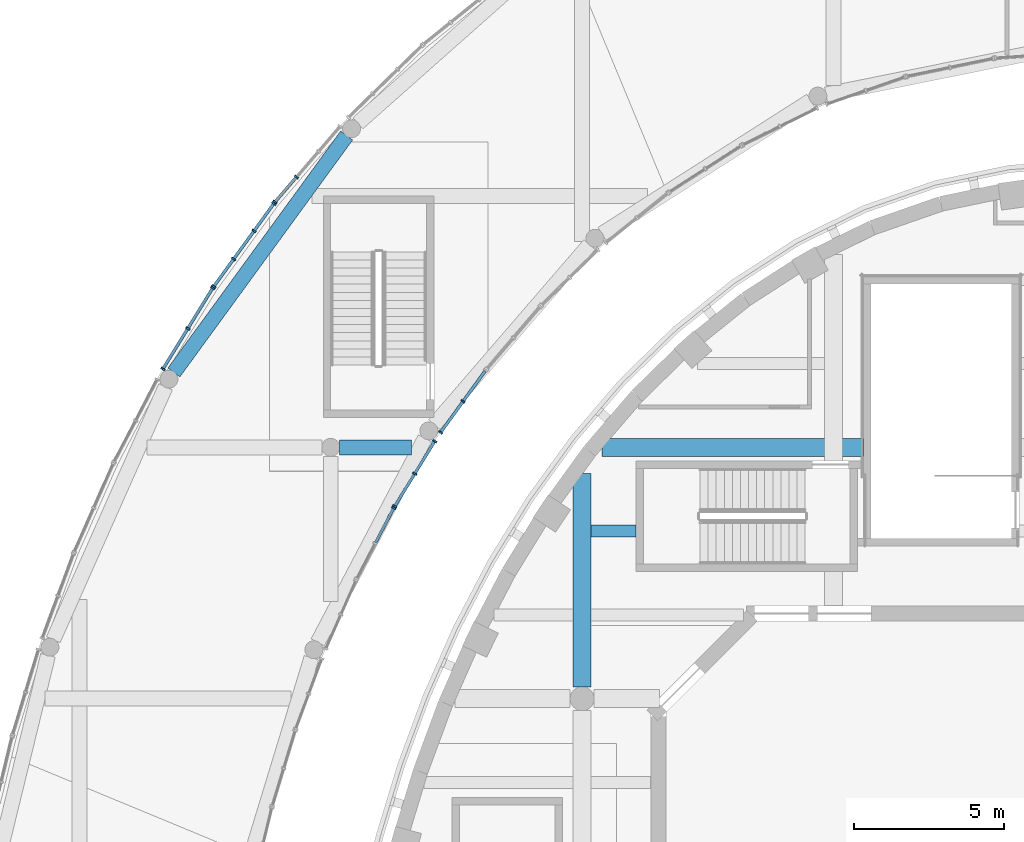
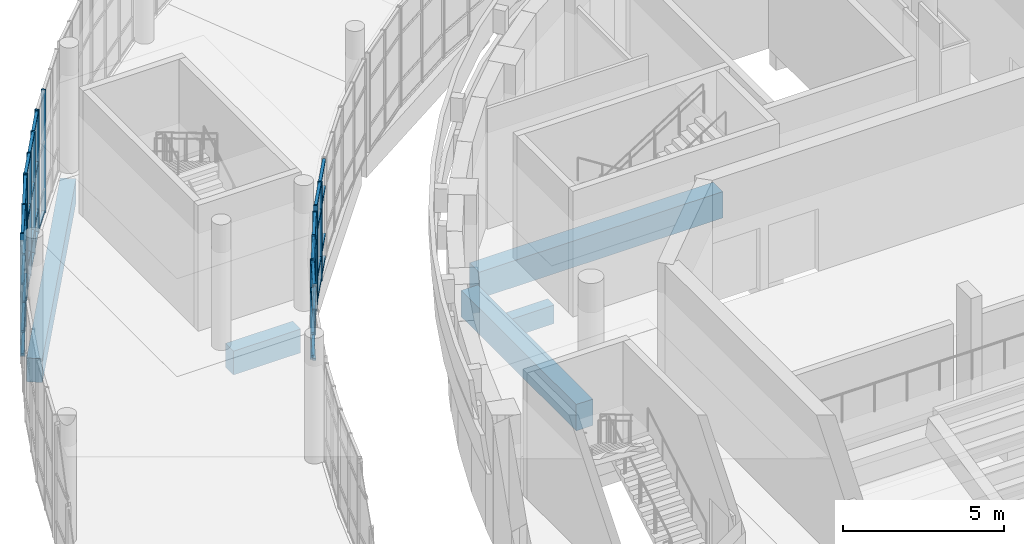
# One storey, part 24 of 119: 55 members, 5 beams, 6 elements without a shape of their own.
"""IFC4 building model written with IfcOpenShell, lengths in metres."""

from ifc_helpers import new_model, si_unit, direction, frame, origin, origin_2d, place, context, subcontext, project, spatial, rectangle, extrude, material, layer, layer_set, material_profile, profile_set, type_object, element, aggregate, save


model = new_model("IFC4")

# Units and contexts
model_context = context("Model", 3, precision=1e-05, world=origin(), true_north=direction((0.0, 1.0)))
body_context = subcontext(model_context, "Body", "Model", "MODEL_VIEW")
ifc_project = project(units=[si_unit("LENGTHUNIT", "METRE"), si_unit("AREAUNIT", "SQUARE_METRE"), si_unit("VOLUMEUNIT", "CUBIC_METRE"), si_unit("PLANEANGLEUNIT", "RADIAN"), si_unit("MASSUNIT", "GRAM", prefix="KILO")], contexts=[model_context])

# Site, building, storey
site_placement = place(None, origin())
site = spatial("IfcSite", under=ifc_project, at=site_placement, CompositionType="ELEMENT")
building_placement = place(site_placement, origin())
building = spatial("IfcBuilding", under=site, at=building_placement, Name="Larchfold Concert Hall", CompositionType="ELEMENT")
storey_placement = place(building_placement, frame((0.0, 0.0, 4.800048828125)))
storey = spatial("IfcBuildingStorey", under=building, at=storey_placement, Name="L01", CompositionType="ELEMENT", Elevation=4.800048828125)

# Curtain wall, member
ifc_material_1 = material(Name="Anodised graphite aluminium curtain wall", Category="aluminium")
ifc_layer = layer(ifc_material_1, 0.14990234375)
ifc_layer_set = layer_set([ifc_layer], Name="Anodised graphite aluminium curtain wall")
curtain_wall_type = type_object("IfcCurtainWallType", Name="Curtain wall WG", PredefinedType="NOTDEFINED", material=ifc_layer_set)
curtain_wall_1_placement = place(storey_placement, origin())
curtain_wall_1 = element("IfcCurtainWall", 1, at=curtain_wall_1_placement, inside=storey, type_object=curtain_wall_type, Name="Curtain wall CW0155", PredefinedType="NOTDEFINED")
ifc_material_2 = material(Name="Anodised graphite aluminium mullion", Category="aluminium")
ifc_material_profile_1 = material_profile(ifc_material_2, rectangle(XDim=0.14990234375, YDim=0.06005859375, at=origin_2d()))
ifc_profile_set_1 = profile_set([ifc_material_profile_1], Name="Anodised graphite aluminium mullion")
member_type_1 = type_object("IfcMemberType", Name="Aluminium mullion 60x150", PredefinedType="MULLION", material=ifc_profile_set_1)
member_1_placement = place(storey_placement, frame((19.504638671875, 107.774169921875, 0.0), z_axis=(0.0, 0.0, 1.0), x_axis=(-0.886259622766, 0.46318881793, 0.0)))
member_1 = element("IfcMember", 2, at=member_1_placement, type_object=member_type_1, Name="CW0155 mullion 3", PredefinedType="MULLION", context=body_context, shape_type="SweptSolid", body=[
    extrude(rectangle(XDim=0.14990234375, YDim=0.06005859375, at=origin_2d()), origin(), (0.0, 0.0, 1.0), 3.75),
])

# Curtain wall, members
curtain_wall_2_placement = place(storey_placement, origin())
curtain_wall_2 = element("IfcCurtainWall", 3, at=curtain_wall_2_placement, inside=storey, type_object=curtain_wall_type, Name="Curtain wall CW0156", PredefinedType="NOTDEFINED")
member_2_placement = place(storey_placement, frame((19.5341796875, 107.826416015625, 0.0), z_axis=(0.0, 0.0, 1.0), x_axis=(-0.851655115363, 0.524102627808, 0.0)))
member_2 = element("IfcMember", 4, at=member_2_placement, type_object=member_type_1, Name="CW0156 mullion 1", PredefinedType="MULLION", context=body_context, shape_type="SweptSolid", body=[
    extrude(rectangle(XDim=0.14990234375, YDim=0.06005859375, at=origin_2d()), origin(), (0.0, 0.0, 1.0), 3.75),
])
member_3_placement = place(storey_placement, frame((20.20458984375, 108.915771484375, 0.0), z_axis=(0.0, 0.0, 1.0), x_axis=(-0.851655115363, 0.524102627808, 0.0)))
member_3 = element("IfcMember", 5, at=member_3_placement, type_object=member_type_1, Name="CW0156 mullion 2", PredefinedType="MULLION", context=body_context, shape_type="SweptSolid", body=[
    extrude(rectangle(XDim=0.14990234375, YDim=0.06005859375, at=origin_2d()), origin(), (0.0, 0.0, 1.0), 3.75),
])
member_4_placement = place(storey_placement, frame((20.875244140625, 110.005126953125, 0.0), z_axis=(0.0, 0.0, 1.0), x_axis=(-0.851655115363, 0.524102627808, 0.0)))
member_4 = element("IfcMember", 6, at=member_4_placement, type_object=member_type_1, Name="CW0156 mullion 3", PredefinedType="MULLION", context=body_context, shape_type="SweptSolid", body=[
    extrude(rectangle(XDim=0.14990234375, YDim=0.06005859375, at=origin_2d()), origin(), (0.0, 0.0, 1.0), 3.75),
])

curtain_wall_3_placement = place(storey_placement, origin())
curtain_wall_3 = element("IfcCurtainWall", 7, at=curtain_wall_3_placement, inside=storey, type_object=curtain_wall_type, Name="Curtain wall CW0157", PredefinedType="NOTDEFINED")
member_5_placement = place(storey_placement, frame((21.072509765625, 110.298828125, 0.0), z_axis=(0.0, 0.0, 1.0), x_axis=(-0.809887159261, 0.58658570496, 0.0)))
member_5 = element("IfcMember", 8, at=member_5_placement, type_object=member_type_1, Name="CW0157 mullion 1", PredefinedType="MULLION", context=body_context, shape_type="SweptSolid", body=[
    extrude(rectangle(XDim=0.14990234375, YDim=0.06005859375, at=origin_2d()), origin(), (0.0, 0.0, 1.0), 3.75),
])
member_6_placement = place(storey_placement, frame((21.8232421875, 111.335205078125, 0.0), z_axis=(0.0, 0.0, 1.0), x_axis=(-0.809887159261, 0.58658570496, 0.0)))
member_6 = element("IfcMember", 9, at=member_6_placement, type_object=member_type_1, Name="CW0157 mullion 2", PredefinedType="MULLION", context=body_context, shape_type="SweptSolid", body=[
    extrude(rectangle(XDim=0.14990234375, YDim=0.06005859375, at=origin_2d()), origin(), (0.0, 0.0, 1.0), 3.75),
])

curtain_wall_4_placement = place(storey_placement, origin())
curtain_wall_4 = element("IfcCurtainWall", 10, at=curtain_wall_4_placement, inside=storey, type_object=curtain_wall_type, Name="Curtain wall CW0184", PredefinedType="NOTDEFINED")
member_7_placement = place(storey_placement, frame((16.253662109375, 118.831298828125, 0.0), z_axis=(0.0, 0.0, 1.0), x_axis=(0.759444508199, -0.650572085911, 0.0)))
member_7 = element("IfcMember", 11, at=member_7_placement, type_object=member_type_1, Name="CW0184 mullion 3", PredefinedType="MULLION", context=body_context, shape_type="SweptSolid", body=[
    extrude(rectangle(XDim=0.14990234375, YDim=0.06005859375, at=origin_2d()), origin(), (0.0, 0.0, 1.0), 4.64990234375),
])
member_8_placement = place(storey_placement, frame((15.537353515625, 117.9951171875, 0.0), z_axis=(0.0, 0.0, 1.0), x_axis=(0.759444508199, -0.650572085911, 0.0)))
member_8 = element("IfcMember", 12, at=member_8_placement, type_object=member_type_1, Name="CW0184 mullion 4", PredefinedType="MULLION", context=body_context, shape_type="SweptSolid", body=[
    extrude(rectangle(XDim=0.14990234375, YDim=0.06005859375, at=origin_2d()), origin(), (0.0, 0.0, 1.0), 4.64990234375),
])

curtain_wall_5_placement = place(storey_placement, origin())
curtain_wall_5 = element("IfcCurtainWall", 13, at=curtain_wall_5_placement, inside=storey, type_object=curtain_wall_type, Name="Curtain wall CW0185", PredefinedType="NOTDEFINED")
member_9_placement = place(storey_placement, frame((15.500244140625, 117.947998046875, 0.0), z_axis=(0.0, 0.0, 1.0), x_axis=(0.809846830142, -0.586641382541, 0.0)))
member_9 = element("IfcMember", 14, at=member_9_placement, type_object=member_type_1, Name="CW0185 mullion 1", PredefinedType="MULLION", context=body_context, shape_type="SweptSolid", body=[
    extrude(rectangle(XDim=0.14990234375, YDim=0.06005859375, at=origin_2d()), origin(), (0.0, 0.0, 1.0), 4.64990234375),
])
member_10_placement = place(storey_placement, frame((14.836669921875, 117.031982421875, 0.0), z_axis=(0.0, 0.0, 1.0), x_axis=(0.809846830142, -0.586641382541, 0.0)))
member_10 = element("IfcMember", 15, at=member_10_placement, type_object=member_type_1, Name="CW0185 mullion 2", PredefinedType="MULLION", context=body_context, shape_type="SweptSolid", body=[
    extrude(rectangle(XDim=0.14990234375, YDim=0.06005859375, at=origin_2d()), origin(), (0.0, 0.0, 1.0), 4.64990234375),
])
member_11_placement = place(storey_placement, frame((14.1552734375, 116.091552734375, 0.0), z_axis=(0.0, 0.0, 1.0), x_axis=(0.809846830142, -0.586641382541, 0.0)))
member_11 = element("IfcMember", 16, at=member_11_placement, type_object=member_type_1, Name="CW0185 mullion 3", PredefinedType="MULLION", context=body_context, shape_type="SweptSolid", body=[
    extrude(rectangle(XDim=0.14990234375, YDim=0.06005859375, at=origin_2d()), origin(), (0.0, 0.0, 1.0), 4.64990234375),
])
member_12_placement = place(storey_placement, frame((13.49169921875, 115.175537109375, 0.0), z_axis=(0.0, 0.0, 1.0), x_axis=(0.809846830142, -0.586641382541, 0.0)))
member_12 = element("IfcMember", 17, at=member_12_placement, type_object=member_type_1, Name="CW0185 mullion 4", PredefinedType="MULLION", context=body_context, shape_type="SweptSolid", body=[
    extrude(rectangle(XDim=0.14990234375, YDim=0.06005859375, at=origin_2d()), origin(), (0.0, 0.0, 1.0), 4.64990234375),
])

curtain_wall_6_placement = place(storey_placement, origin())
curtain_wall_6 = element("IfcCurtainWall", 18, at=curtain_wall_6_placement, inside=storey, type_object=curtain_wall_type, Name="Curtain wall CW0186", PredefinedType="NOTDEFINED")
member_13_placement = place(storey_placement, frame((13.45849609375, 115.12548828125, 0.0), z_axis=(0.0, 0.0, 1.0), x_axis=(0.851668675828, -0.524080591715, 0.0)))
member_13 = element("IfcMember", 19, at=member_13_placement, type_object=member_type_1, Name="CW0186 mullion 1", PredefinedType="MULLION", context=body_context, shape_type="SweptSolid", body=[
    extrude(rectangle(XDim=0.14990234375, YDim=0.06005859375, at=origin_2d()), origin(), (0.0, 0.0, 1.0), 4.64990234375),
])
member_14_placement = place(storey_placement, frame((12.6259765625, 113.772705078125, 0.0), z_axis=(0.0, 0.0, 1.0), x_axis=(0.851668675828, -0.524080591715, 0.0)))
member_14 = element("IfcMember", 20, at=member_14_placement, type_object=member_type_1, Name="CW0186 mullion 2", PredefinedType="MULLION", context=body_context, shape_type="SweptSolid", body=[
    extrude(rectangle(XDim=0.14990234375, YDim=0.06005859375, at=origin_2d()), origin(), (0.0, 0.0, 1.0), 4.64990234375),
])
member_15_placement = place(storey_placement, frame((11.79345703125, 112.420166015625, 0.0), z_axis=(0.0, 0.0, 1.0), x_axis=(0.851668675828, -0.524080591715, 0.0)))
member_15 = element("IfcMember", 21, at=member_15_placement, type_object=member_type_1, Name="CW0186 mullion 3", PredefinedType="MULLION", context=body_context, shape_type="SweptSolid", body=[
    extrude(rectangle(XDim=0.14990234375, YDim=0.06005859375, at=origin_2d()), origin(), (0.0, 0.0, 1.0), 4.64990234375),
])

# Member
ifc_material_3 = material(Name="Anodised graphite aluminium transom", Category="aluminium")
ifc_material_profile_2 = material_profile(ifc_material_3, rectangle(XDim=0.10009765625, YDim=0.080078125, at=origin_2d()))
ifc_profile_set_2 = profile_set([ifc_material_profile_2], Name="Anodised graphite aluminium transom")
member_type_2 = type_object("IfcMemberType", Name="Aluminium transom 80x100", PredefinedType="USERDEFINED", material=ifc_profile_set_2)
member_16_placement = place(storey_placement, frame((18.899658203125, 106.616455078125, 0.89990234375), z_axis=(0.463134691808, 0.886287908777, 0.0), x_axis=(-0.886287908777, 0.463134691808, 0.0)))
member_16 = element("IfcMember", 22, at=member_16_placement, type_object=member_type_2, Name="CW0155 transom 2.2", ObjectType="TRANSOM", PredefinedType="USERDEFINED", context=body_context, shape_type="SweptSolid", body=[
    extrude(rectangle(XDim=0.10009765625, YDim=0.080078125, at=origin_2d()), origin(), (0.0, 0.0, 1.0), 1.276123046875),
])

member_17_placement = place(storey_placement, frame((18.899658203125, 106.616455078125, 2.699951171875), z_axis=(0.463134691808, 0.886287908777, 0.0), x_axis=(-0.886287908777, 0.463134691808, 0.0)))
member_17 = element("IfcMember", 23, at=member_17_placement, type_object=member_type_2, Name="CW0155 transom 2.3", ObjectType="TRANSOM", PredefinedType="USERDEFINED", context=body_context, shape_type="SweptSolid", body=[
    extrude(rectangle(XDim=0.10009765625, YDim=0.080078125, at=origin_2d()), origin(), (0.0, 0.0, 1.0), 1.276123046875),
])

member_18_placement = place(storey_placement, frame((18.899658203125, 106.616455078125, 3.7099609375), z_axis=(0.463134691808, 0.886287908777, 0.0), x_axis=(-0.886287908777, 0.463134691808, 0.0)))
member_18 = element("IfcMember", 24, at=member_18_placement, type_object=member_type_2, Name="CW0155 transom 2.4", ObjectType="TRANSOM", PredefinedType="USERDEFINED", context=body_context, shape_type="SweptSolid", body=[
    extrude(rectangle(XDim=0.10009765625, YDim=0.080078125, at=origin_2d()), origin(), (0.0, 0.0, 1.0), 1.276123046875),
])

aggregate(curtain_wall_1, [member_1, member_16, member_17, member_18])

member_19_placement = place(storey_placement, frame((19.550048828125, 107.851806640625, 0.0400390625), z_axis=(0.5240639064, 0.851678943034, 0.0), x_axis=(-0.851678943034, 0.5240639064, 0.0)))
member_19 = element("IfcMember", 25, at=member_19_placement, type_object=member_type_2, Name="CW0156 transom 1.1", ObjectType="TRANSOM", PredefinedType="USERDEFINED", context=body_context, shape_type="SweptSolid", body=[
    extrude(rectangle(XDim=0.10009765625, YDim=0.080078125, at=origin_2d()), origin(), (0.0, 0.0, 1.0), 1.21923828125),
])

member_20_placement = place(storey_placement, frame((19.550048828125, 107.851806640625, 0.89990234375), z_axis=(0.5240639064, 0.851678943034, 0.0), x_axis=(-0.851678943034, 0.5240639064, 0.0)))
member_20 = element("IfcMember", 26, at=member_20_placement, type_object=member_type_2, Name="CW0156 transom 1.2", ObjectType="TRANSOM", PredefinedType="USERDEFINED", context=body_context, shape_type="SweptSolid", body=[
    extrude(rectangle(XDim=0.10009765625, YDim=0.080078125, at=origin_2d()), origin(), (0.0, 0.0, 1.0), 1.21923828125),
])

member_21_placement = place(storey_placement, frame((19.550048828125, 107.851806640625, 2.699951171875), z_axis=(0.5240639064, 0.851678943034, 0.0), x_axis=(-0.851678943034, 0.5240639064, 0.0)))
member_21 = element("IfcMember", 27, at=member_21_placement, type_object=member_type_2, Name="CW0156 transom 1.3", ObjectType="TRANSOM", PredefinedType="USERDEFINED", context=body_context, shape_type="SweptSolid", body=[
    extrude(rectangle(XDim=0.10009765625, YDim=0.080078125, at=origin_2d()), origin(), (0.0, 0.0, 1.0), 1.21923828125),
])

member_22_placement = place(storey_placement, frame((19.550048828125, 107.851806640625, 3.7099609375), z_axis=(0.5240639064, 0.851678943034, 0.0), x_axis=(-0.851678943034, 0.5240639064, 0.0)))
member_22 = element("IfcMember", 28, at=member_22_placement, type_object=member_type_2, Name="CW0156 transom 1.4", ObjectType="TRANSOM", PredefinedType="USERDEFINED", context=body_context, shape_type="SweptSolid", body=[
    extrude(rectangle(XDim=0.10009765625, YDim=0.080078125, at=origin_2d()), origin(), (0.0, 0.0, 1.0), 1.21923828125),
])

member_23_placement = place(storey_placement, frame((20.220458984375, 108.94140625, 0.0400390625), z_axis=(0.5240639064, 0.851678943034, 0.0), x_axis=(-0.851678943034, 0.5240639064, 0.0)))
member_23 = element("IfcMember", 29, at=member_23_placement, type_object=member_type_2, Name="CW0156 transom 2.1", ObjectType="TRANSOM", PredefinedType="USERDEFINED", context=body_context, shape_type="SweptSolid", body=[
    extrude(rectangle(XDim=0.10009765625, YDim=0.080078125, at=origin_2d()), origin(), (0.0, 0.0, 1.0), 1.21923828125),
])

member_24_placement = place(storey_placement, frame((20.220458984375, 108.94140625, 0.89990234375), z_axis=(0.5240639064, 0.851678943034, 0.0), x_axis=(-0.851678943034, 0.5240639064, 0.0)))
member_24 = element("IfcMember", 30, at=member_24_placement, type_object=member_type_2, Name="CW0156 transom 2.2", ObjectType="TRANSOM", PredefinedType="USERDEFINED", context=body_context, shape_type="SweptSolid", body=[
    extrude(rectangle(XDim=0.10009765625, YDim=0.080078125, at=origin_2d()), origin(), (0.0, 0.0, 1.0), 1.21923828125),
])

member_25_placement = place(storey_placement, frame((20.220458984375, 108.94140625, 2.699951171875), z_axis=(0.5240639064, 0.851678943034, 0.0), x_axis=(-0.851678943034, 0.5240639064, 0.0)))
member_25 = element("IfcMember", 31, at=member_25_placement, type_object=member_type_2, Name="CW0156 transom 2.3", ObjectType="TRANSOM", PredefinedType="USERDEFINED", context=body_context, shape_type="SweptSolid", body=[
    extrude(rectangle(XDim=0.10009765625, YDim=0.080078125, at=origin_2d()), origin(), (0.0, 0.0, 1.0), 1.21923828125),
])

member_26_placement = place(storey_placement, frame((20.220458984375, 108.94140625, 3.7099609375), z_axis=(0.5240639064, 0.851678943034, 0.0), x_axis=(-0.851678943034, 0.5240639064, 0.0)))
member_26 = element("IfcMember", 32, at=member_26_placement, type_object=member_type_2, Name="CW0156 transom 2.4", ObjectType="TRANSOM", PredefinedType="USERDEFINED", context=body_context, shape_type="SweptSolid", body=[
    extrude(rectangle(XDim=0.10009765625, YDim=0.080078125, at=origin_2d()), origin(), (0.0, 0.0, 1.0), 1.21923828125),
])

aggregate(curtain_wall_2, [member_2, member_3, member_4, member_19, member_20, member_21, member_22, member_23, member_24, member_25, member_26])

member_27_placement = place(storey_placement, frame((21.090087890625, 110.322998046875, 0.0400390625), z_axis=(0.586659217101, 0.809833910744, 0.0), x_axis=(-0.809833910744, 0.586659217101, 0.0)))
member_27 = element("IfcMember", 33, at=member_27_placement, type_object=member_type_2, Name="CW0157 transom 1.1", ObjectType="TRANSOM", PredefinedType="USERDEFINED", context=body_context, shape_type="SweptSolid", body=[
    extrude(rectangle(XDim=0.10009765625, YDim=0.080078125, at=origin_2d()), origin(), (0.0, 0.0, 1.0), 1.2197265625),
])

member_28_placement = place(storey_placement, frame((21.090087890625, 110.322998046875, 0.89990234375), z_axis=(0.586659217101, 0.809833910744, 0.0), x_axis=(-0.809833910744, 0.586659217101, 0.0)))
member_28 = element("IfcMember", 34, at=member_28_placement, type_object=member_type_2, Name="CW0157 transom 1.2", ObjectType="TRANSOM", PredefinedType="USERDEFINED", context=body_context, shape_type="SweptSolid", body=[
    extrude(rectangle(XDim=0.10009765625, YDim=0.080078125, at=origin_2d()), origin(), (0.0, 0.0, 1.0), 1.2197265625),
])

member_29_placement = place(storey_placement, frame((21.090087890625, 110.322998046875, 2.699951171875), z_axis=(0.586659217101, 0.809833910744, 0.0), x_axis=(-0.809833910744, 0.586659217101, 0.0)))
member_29 = element("IfcMember", 35, at=member_29_placement, type_object=member_type_2, Name="CW0157 transom 1.3", ObjectType="TRANSOM", PredefinedType="USERDEFINED", context=body_context, shape_type="SweptSolid", body=[
    extrude(rectangle(XDim=0.10009765625, YDim=0.080078125, at=origin_2d()), origin(), (0.0, 0.0, 1.0), 1.2197265625),
])

member_30_placement = place(storey_placement, frame((21.090087890625, 110.322998046875, 3.7099609375), z_axis=(0.586659217101, 0.809833910744, 0.0), x_axis=(-0.809833910744, 0.586659217101, 0.0)))
member_30 = element("IfcMember", 36, at=member_30_placement, type_object=member_type_2, Name="CW0157 transom 1.4", ObjectType="TRANSOM", PredefinedType="USERDEFINED", context=body_context, shape_type="SweptSolid", body=[
    extrude(rectangle(XDim=0.10009765625, YDim=0.080078125, at=origin_2d()), origin(), (0.0, 0.0, 1.0), 1.2197265625),
])

member_31_placement = place(storey_placement, frame((21.8408203125, 111.359619140625, 0.0400390625), z_axis=(0.586659217101, 0.809833910744, 0.0), x_axis=(-0.809833910744, 0.586659217101, 0.0)))
member_31 = element("IfcMember", 37, at=member_31_placement, type_object=member_type_2, Name="CW0157 transom 2.1", ObjectType="TRANSOM", PredefinedType="USERDEFINED", context=body_context, shape_type="SweptSolid", body=[
    extrude(rectangle(XDim=0.10009765625, YDim=0.080078125, at=origin_2d()), origin(), (0.0, 0.0, 1.0), 1.2197265625),
])

member_32_placement = place(storey_placement, frame((21.8408203125, 111.359619140625, 0.89990234375), z_axis=(0.586659217101, 0.809833910744, 0.0), x_axis=(-0.809833910744, 0.586659217101, 0.0)))
member_32 = element("IfcMember", 38, at=member_32_placement, type_object=member_type_2, Name="CW0157 transom 2.2", ObjectType="TRANSOM", PredefinedType="USERDEFINED", context=body_context, shape_type="SweptSolid", body=[
    extrude(rectangle(XDim=0.10009765625, YDim=0.080078125, at=origin_2d()), origin(), (0.0, 0.0, 1.0), 1.2197265625),
])

member_33_placement = place(storey_placement, frame((21.8408203125, 111.359619140625, 2.699951171875), z_axis=(0.586659217101, 0.809833910744, 0.0), x_axis=(-0.809833910744, 0.586659217101, 0.0)))
member_33 = element("IfcMember", 39, at=member_33_placement, type_object=member_type_2, Name="CW0157 transom 2.3", ObjectType="TRANSOM", PredefinedType="USERDEFINED", context=body_context, shape_type="SweptSolid", body=[
    extrude(rectangle(XDim=0.10009765625, YDim=0.080078125, at=origin_2d()), origin(), (0.0, 0.0, 1.0), 1.2197265625),
])

member_34_placement = place(storey_placement, frame((21.8408203125, 111.359619140625, 3.7099609375), z_axis=(0.586659217101, 0.809833910744, 0.0), x_axis=(-0.809833910744, 0.586659217101, 0.0)))
member_34 = element("IfcMember", 40, at=member_34_placement, type_object=member_type_2, Name="CW0157 transom 2.4", ObjectType="TRANSOM", PredefinedType="USERDEFINED", context=body_context, shape_type="SweptSolid", body=[
    extrude(rectangle(XDim=0.10009765625, YDim=0.080078125, at=origin_2d()), origin(), (0.0, 0.0, 1.0), 1.2197265625),
])

aggregate(curtain_wall_3, [member_5, member_6, member_27, member_28, member_29, member_30, member_31, member_32, member_33, member_34])

member_35_placement = place(storey_placement, frame((16.234130859375, 118.80859375, 0.0400390625), z_axis=(-0.650598206487, -0.759422131437, 0.0), x_axis=(0.759422131437, -0.650598206487, 0.0)))
member_35 = element("IfcMember", 41, at=member_35_placement, type_object=member_type_2, Name="CW0184 transom 3.1", ObjectType="TRANSOM", PredefinedType="USERDEFINED", context=body_context, shape_type="SweptSolid", body=[
    extrude(rectangle(XDim=0.10009765625, YDim=0.080078125, at=origin_2d()), origin(), (0.0, 0.0, 1.0), 1.041015625),
])

aggregate(curtain_wall_4, [member_7, member_8, member_35])

member_36_placement = place(storey_placement, frame((15.482666015625, 117.923828125, 0.0400390625), z_axis=(-0.5866799432, -0.809818895956, 0.0), x_axis=(0.809818895956, -0.5866799432, 0.0)))
member_36 = element("IfcMember", 42, at=member_36_placement, type_object=member_type_2, Name="CW0185 transom 1.1", ObjectType="TRANSOM", PredefinedType="USERDEFINED", context=body_context, shape_type="SweptSolid", body=[
    extrude(rectangle(XDim=0.10009765625, YDim=0.080078125, at=origin_2d()), origin(), (0.0, 0.0, 1.0), 1.071044921875),
])

member_37_placement = place(storey_placement, frame((15.482666015625, 117.923828125, 0.89990234375), z_axis=(-0.5866799432, -0.809818895956, 0.0), x_axis=(0.809818895956, -0.5866799432, 0.0)))
member_37 = element("IfcMember", 43, at=member_37_placement, type_object=member_type_2, Name="CW0185 transom 1.2", ObjectType="TRANSOM", PredefinedType="USERDEFINED", context=body_context, shape_type="SweptSolid", body=[
    extrude(rectangle(XDim=0.10009765625, YDim=0.080078125, at=origin_2d()), origin(), (0.0, 0.0, 1.0), 1.071044921875),
])

member_38_placement = place(storey_placement, frame((15.482666015625, 117.923828125, 2.699951171875), z_axis=(-0.5866799432, -0.809818895956, 0.0), x_axis=(0.809818895956, -0.5866799432, 0.0)))
member_38 = element("IfcMember", 44, at=member_38_placement, type_object=member_type_2, Name="CW0185 transom 1.3", ObjectType="TRANSOM", PredefinedType="USERDEFINED", context=body_context, shape_type="SweptSolid", body=[
    extrude(rectangle(XDim=0.10009765625, YDim=0.080078125, at=origin_2d()), origin(), (0.0, 0.0, 1.0), 1.071044921875),
])

member_39_placement = place(storey_placement, frame((15.482666015625, 117.923828125, 4.60986328125), z_axis=(-0.5866799432, -0.809818895956, 0.0), x_axis=(0.809818895956, -0.5866799432, 0.0)))
member_39 = element("IfcMember", 45, at=member_39_placement, type_object=member_type_2, Name="CW0185 transom 1.4", ObjectType="TRANSOM", PredefinedType="USERDEFINED", context=body_context, shape_type="SweptSolid", body=[
    extrude(rectangle(XDim=0.10009765625, YDim=0.080078125, at=origin_2d()), origin(), (0.0, 0.0, 1.0), 1.071044921875),
])

member_40_placement = place(storey_placement, frame((14.819091796875, 117.007568359375, 0.0400390625), z_axis=(-0.586865840086, -0.809684188891, 0.0), x_axis=(0.809684188891, -0.586865840086, 0.0)))
member_40 = element("IfcMember", 46, at=member_40_placement, type_object=member_type_2, Name="CW0185 transom 2.1", ObjectType="TRANSOM", PredefinedType="USERDEFINED", context=body_context, shape_type="SweptSolid", body=[
    extrude(rectangle(XDim=0.10009765625, YDim=0.080078125, at=origin_2d()), origin(), (0.0, 0.0, 1.0), 1.10107421875),
])

member_41_placement = place(storey_placement, frame((14.819091796875, 117.007568359375, 0.89990234375), z_axis=(-0.586865840086, -0.809684188891, 0.0), x_axis=(0.809684188891, -0.586865840086, 0.0)))
member_41 = element("IfcMember", 47, at=member_41_placement, type_object=member_type_2, Name="CW0185 transom 2.2", ObjectType="TRANSOM", PredefinedType="USERDEFINED", context=body_context, shape_type="SweptSolid", body=[
    extrude(rectangle(XDim=0.10009765625, YDim=0.080078125, at=origin_2d()), origin(), (0.0, 0.0, 1.0), 1.10107421875),
])

member_42_placement = place(storey_placement, frame((14.819091796875, 117.007568359375, 2.699951171875), z_axis=(-0.586865840086, -0.809684188891, 0.0), x_axis=(0.809684188891, -0.586865840086, 0.0)))
member_42 = element("IfcMember", 48, at=member_42_placement, type_object=member_type_2, Name="CW0185 transom 2.3", ObjectType="TRANSOM", PredefinedType="USERDEFINED", context=body_context, shape_type="SweptSolid", body=[
    extrude(rectangle(XDim=0.10009765625, YDim=0.080078125, at=origin_2d()), origin(), (0.0, 0.0, 1.0), 1.10107421875),
])

member_43_placement = place(storey_placement, frame((14.819091796875, 117.007568359375, 4.60986328125), z_axis=(-0.586865840086, -0.809684188891, 0.0), x_axis=(0.809684188891, -0.586865840086, 0.0)))
member_43 = element("IfcMember", 49, at=member_43_placement, type_object=member_type_2, Name="CW0185 transom 2.4", ObjectType="TRANSOM", PredefinedType="USERDEFINED", context=body_context, shape_type="SweptSolid", body=[
    extrude(rectangle(XDim=0.10009765625, YDim=0.080078125, at=origin_2d()), origin(), (0.0, 0.0, 1.0), 1.10107421875),
])

member_44_placement = place(storey_placement, frame((14.1376953125, 116.067138671875, 0.0400390625), z_axis=(-0.5866799432, -0.809818895956, 0.0), x_axis=(0.809818895956, -0.5866799432, 0.0)))
member_44 = element("IfcMember", 50, at=member_44_placement, type_object=member_type_2, Name="CW0185 transom 3.1", ObjectType="TRANSOM", PredefinedType="USERDEFINED", context=body_context, shape_type="SweptSolid", body=[
    extrude(rectangle(XDim=0.10009765625, YDim=0.080078125, at=origin_2d()), origin(), (0.0, 0.0, 1.0), 1.071044921875),
])

member_45_placement = place(storey_placement, frame((14.1376953125, 116.067138671875, 0.89990234375), z_axis=(-0.5866799432, -0.809818895956, 0.0), x_axis=(0.809818895956, -0.5866799432, 0.0)))
member_45 = element("IfcMember", 51, at=member_45_placement, type_object=member_type_2, Name="CW0185 transom 3.2", ObjectType="TRANSOM", PredefinedType="USERDEFINED", context=body_context, shape_type="SweptSolid", body=[
    extrude(rectangle(XDim=0.10009765625, YDim=0.080078125, at=origin_2d()), origin(), (0.0, 0.0, 1.0), 1.071044921875),
])

member_46_placement = place(storey_placement, frame((14.1376953125, 116.067138671875, 2.699951171875), z_axis=(-0.5866799432, -0.809818895956, 0.0), x_axis=(0.809818895956, -0.5866799432, 0.0)))
member_46 = element("IfcMember", 52, at=member_46_placement, type_object=member_type_2, Name="CW0185 transom 3.3", ObjectType="TRANSOM", PredefinedType="USERDEFINED", context=body_context, shape_type="SweptSolid", body=[
    extrude(rectangle(XDim=0.10009765625, YDim=0.080078125, at=origin_2d()), origin(), (0.0, 0.0, 1.0), 1.071044921875),
])

member_47_placement = place(storey_placement, frame((14.1376953125, 116.067138671875, 4.60986328125), z_axis=(-0.5866799432, -0.809818895956, 0.0), x_axis=(0.809818895956, -0.5866799432, 0.0)))
member_47 = element("IfcMember", 53, at=member_47_placement, type_object=member_type_2, Name="CW0185 transom 3.4", ObjectType="TRANSOM", PredefinedType="USERDEFINED", context=body_context, shape_type="SweptSolid", body=[
    extrude(rectangle(XDim=0.10009765625, YDim=0.080078125, at=origin_2d()), origin(), (0.0, 0.0, 1.0), 1.071044921875),
])

aggregate(curtain_wall_5, [member_9, member_10, member_11, member_12, member_36, member_37, member_38, member_39, member_40, member_41, member_42, member_43, member_44, member_45, member_46, member_47])

member_48_placement = place(storey_placement, frame((13.442626953125, 115.10009765625, 0.0400390625), z_axis=(-0.524070689659, -0.851674769052, 0.0), x_axis=(0.851674769052, -0.524070689659, 0.0)))
member_48 = element("IfcMember", 54, at=member_48_placement, type_object=member_type_2, Name="CW0186 transom 1.1", ObjectType="TRANSOM", PredefinedType="USERDEFINED", context=body_context, shape_type="SweptSolid", body=[
    extrude(rectangle(XDim=0.10009765625, YDim=0.080078125, at=origin_2d()), origin(), (0.0, 0.0, 1.0), 1.528564453125),
])

member_49_placement = place(storey_placement, frame((13.442626953125, 115.10009765625, 0.89990234375), z_axis=(-0.524070689659, -0.851674769052, 0.0), x_axis=(0.851674769052, -0.524070689659, 0.0)))
member_49 = element("IfcMember", 55, at=member_49_placement, type_object=member_type_2, Name="CW0186 transom 1.2", ObjectType="TRANSOM", PredefinedType="USERDEFINED", context=body_context, shape_type="SweptSolid", body=[
    extrude(rectangle(XDim=0.10009765625, YDim=0.080078125, at=origin_2d()), origin(), (0.0, 0.0, 1.0), 1.528564453125),
])

member_50_placement = place(storey_placement, frame((13.442626953125, 115.10009765625, 2.699951171875), z_axis=(-0.524070689659, -0.851674769052, 0.0), x_axis=(0.851674769052, -0.524070689659, 0.0)))
member_50 = element("IfcMember", 56, at=member_50_placement, type_object=member_type_2, Name="CW0186 transom 1.3", ObjectType="TRANSOM", PredefinedType="USERDEFINED", context=body_context, shape_type="SweptSolid", body=[
    extrude(rectangle(XDim=0.10009765625, YDim=0.080078125, at=origin_2d()), origin(), (0.0, 0.0, 1.0), 1.528564453125),
])

member_51_placement = place(storey_placement, frame((13.442626953125, 115.10009765625, 4.60986328125), z_axis=(-0.524070689659, -0.851674769052, 0.0), x_axis=(0.851674769052, -0.524070689659, 0.0)))
member_51 = element("IfcMember", 57, at=member_51_placement, type_object=member_type_2, Name="CW0186 transom 1.4", ObjectType="TRANSOM", PredefinedType="USERDEFINED", context=body_context, shape_type="SweptSolid", body=[
    extrude(rectangle(XDim=0.10009765625, YDim=0.080078125, at=origin_2d()), origin(), (0.0, 0.0, 1.0), 1.528564453125),
])

member_52_placement = place(storey_placement, frame((12.6103515625, 113.747314453125, 0.0400390625), z_axis=(-0.524070689659, -0.851674769052, 0.0), x_axis=(0.851674769052, -0.524070689659, 0.0)))
member_52 = element("IfcMember", 58, at=member_52_placement, type_object=member_type_2, Name="CW0186 transom 2.1", ObjectType="TRANSOM", PredefinedType="USERDEFINED", context=body_context, shape_type="SweptSolid", body=[
    extrude(rectangle(XDim=0.10009765625, YDim=0.080078125, at=origin_2d()), origin(), (0.0, 0.0, 1.0), 1.528564453125),
])

member_53_placement = place(storey_placement, frame((12.6103515625, 113.747314453125, 0.89990234375), z_axis=(-0.524070689659, -0.851674769052, 0.0), x_axis=(0.851674769052, -0.524070689659, 0.0)))
member_53 = element("IfcMember", 59, at=member_53_placement, type_object=member_type_2, Name="CW0186 transom 2.2", ObjectType="TRANSOM", PredefinedType="USERDEFINED", context=body_context, shape_type="SweptSolid", body=[
    extrude(rectangle(XDim=0.10009765625, YDim=0.080078125, at=origin_2d()), origin(), (0.0, 0.0, 1.0), 1.528564453125),
])

member_54_placement = place(storey_placement, frame((12.6103515625, 113.747314453125, 2.699951171875), z_axis=(-0.524070689659, -0.851674769052, 0.0), x_axis=(0.851674769052, -0.524070689659, 0.0)))
member_54 = element("IfcMember", 60, at=member_54_placement, type_object=member_type_2, Name="CW0186 transom 2.3", ObjectType="TRANSOM", PredefinedType="USERDEFINED", context=body_context, shape_type="SweptSolid", body=[
    extrude(rectangle(XDim=0.10009765625, YDim=0.080078125, at=origin_2d()), origin(), (0.0, 0.0, 1.0), 1.528564453125),
])

member_55_placement = place(storey_placement, frame((12.6103515625, 113.747314453125, 4.60986328125), z_axis=(-0.524070689659, -0.851674769052, 0.0), x_axis=(0.851674769052, -0.524070689659, 0.0)))
member_55 = element("IfcMember", 61, at=member_55_placement, type_object=member_type_2, Name="CW0186 transom 2.4", ObjectType="TRANSOM", PredefinedType="USERDEFINED", context=body_context, shape_type="SweptSolid", body=[
    extrude(rectangle(XDim=0.10009765625, YDim=0.080078125, at=origin_2d()), origin(), (0.0, 0.0, 1.0), 1.528564453125),
])

aggregate(curtain_wall_6, [member_13, member_14, member_15, member_48, member_49, member_50, member_51, member_52, member_53, member_54, member_55])

# Beams
ifc_material_4 = material(Name="Concrete C35/45", Category="concrete")
ifc_material_profile_3 = material_profile(ifc_material_4, rectangle(XDim=0.39990234375, YDim=0.699951171875, at=origin_2d()))
ifc_profile_set_3 = profile_set([ifc_material_profile_3], Name="Concrete C35/45")
beam_type_1 = type_object("IfcBeamType", Name="Beam RC 400x700", PredefinedType="BEAM", material=ifc_profile_set_3)
beam_1_placement = place(storey_placement, frame((26.10009765625, 107.0, -0.550048828125), z_axis=(1.0, 0.0, 0.0), x_axis=(0.0, 1.0, 0.0)))
element("IfcBeam", 62, at=beam_1_placement, inside=storey, type_object=beam_type_1, Name="Beam B1257", PredefinedType="BEAM", context=body_context, shape_type="SweptSolid", body=[
    extrude(rectangle(XDim=0.39990234375, YDim=0.699951171875, at=origin_2d()), origin(), (0.0, 0.0, 1.0), 1.5),
])
ifc_material_5 = material(Name="Concrete C35/45", Category="concrete")
ifc_material_profile_4 = material_profile(ifc_material_5, rectangle(XDim=0.5, YDim=0.89990234375, at=origin_2d()))
ifc_profile_set_4 = profile_set([ifc_material_profile_4], Name="Concrete C35/45")
beam_type_2 = type_object("IfcBeamType", Name="Beam RC 500x900", PredefinedType="BEAM", material=ifc_profile_set_4)
beam_2_placement = place(storey_placement, frame((12.157958984375, 112.30224609375, -0.60009765625), z_axis=(0.589270434434, 0.80793586076, 0.0), x_axis=(-0.80793586076, 0.589270434434, 0.0)))
element("IfcBeam", 63, at=beam_2_placement, inside=storey, type_object=beam_type_2, Name="Beam B1875", PredefinedType="BEAM", context=body_context, shape_type="SweptSolid", body=[
    extrude(rectangle(XDim=0.5, YDim=0.89990234375, at=origin_2d()), origin(), (0.0, 0.0, 1.0), 9.79833984375),
])
beam_3_placement = place(storey_placement, frame((17.69873046875, 109.800048828125, -0.60009765625), z_axis=(1.0, 0.0, 0.0), x_axis=(0.0, 1.0, 0.0)))
element("IfcBeam", 64, at=beam_3_placement, inside=storey, type_object=beam_type_2, Name="Beam B1928", PredefinedType="BEAM", context=body_context, shape_type="SweptSolid", body=[
    extrude(rectangle(XDim=0.5, YDim=0.89990234375, at=origin_2d()), origin(), (0.0, 0.0, 1.0), 2.407470703125),
])
ifc_material_6 = material(Name="Concrete C35/45", Category="concrete")
ifc_material_profile_5 = material_profile(ifc_material_6, rectangle(XDim=0.60009765625, YDim=1.0, at=origin_2d()))
ifc_profile_set_5 = profile_set([ifc_material_profile_5], Name="Concrete C35/45")
beam_type_3 = type_object("IfcBeamType", Name="Beam RC 600x1000", PredefinedType="BEAM", material=ifc_profile_set_5)
beam_4_placement = place(storey_placement, frame((25.800048828125, 101.79833984375, -0.699951171875), z_axis=(0.0, 1.0, 0.0), x_axis=(-1.0, 0.0, 0.0)))
element("IfcBeam", 65, at=beam_4_placement, inside=storey, type_object=beam_type_3, Name="Beam B1186", PredefinedType="BEAM", context=body_context, shape_type="SweptSolid", body=[
    extrude(rectangle(XDim=0.60009765625, YDim=1.0, at=origin_2d()), origin(), (0.0, 0.0, 1.0), 7.134521484375),
])
beam_5_placement = place(storey_placement, frame((26.464111328125, 109.800048828125, -0.699951171875), z_axis=(1.0, 0.0, 0.0), x_axis=(0.0, 1.0, 0.0)))
element("IfcBeam", 66, at=beam_5_placement, inside=storey, type_object=beam_type_3, Name="Beam B1215", PredefinedType="BEAM", context=body_context, shape_type="SweptSolid", body=[
    extrude(rectangle(XDim=0.60009765625, YDim=1.0, at=origin_2d()), origin(), (0.0, 0.0, 1.0), 8.73583984375),
])

save(model, "model.ifc")
